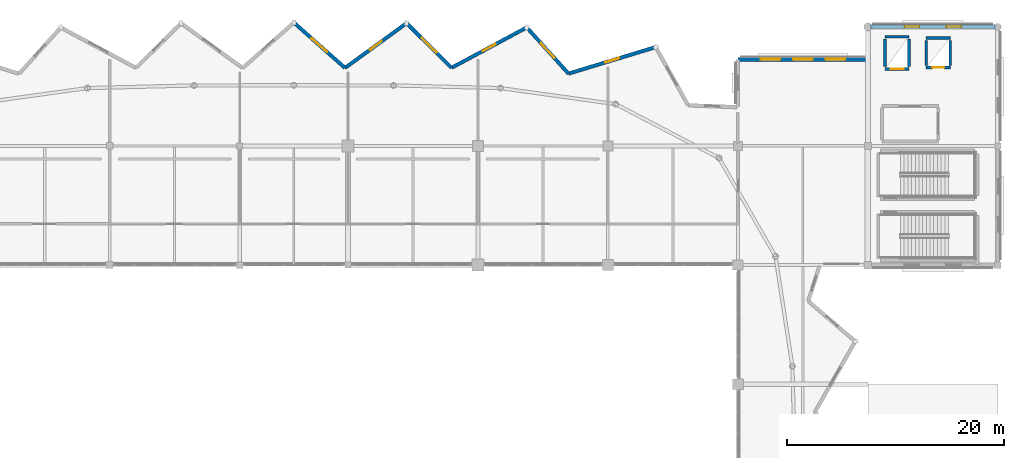
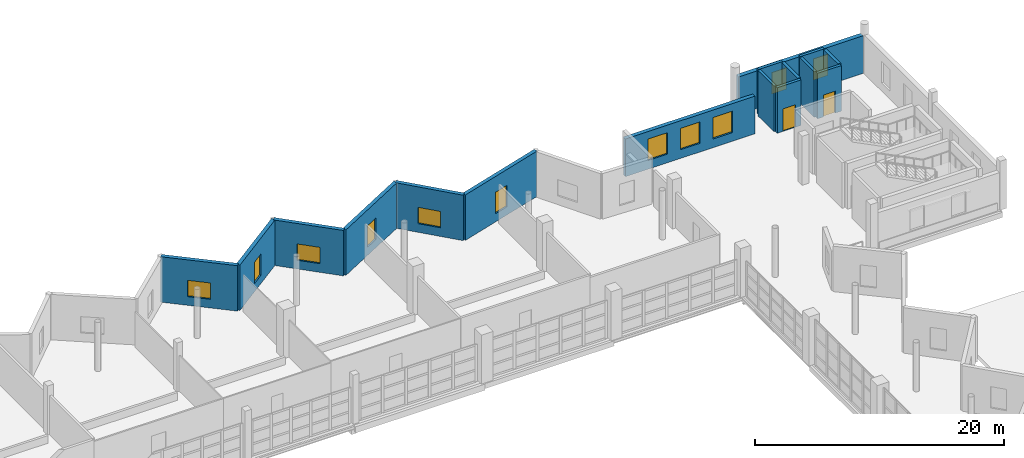
# One storey, part 43 of 53: 16 walls, 11 windows, 2 doors, 13 openings.
"""IFC4 building model written with IfcOpenShell, lengths in metres."""

from ifc_helpers import new_model, si_unit, direction, frame, frame_2d, origin, place, context, subcontext, project, spatial, rectangle, extrude, material, layer, layer_set, type_object, element, fill, save


model = new_model("IFC4")

# Units and contexts
model_context = context("Model", 3, precision=1e-05, world=origin(), true_north=direction((0.0, 1.0)))
body_context = subcontext(model_context, "Body", "Model", "MODEL_VIEW")
ifc_project = project(units=[si_unit("LENGTHUNIT", "METRE"), si_unit("AREAUNIT", "SQUARE_METRE"), si_unit("VOLUMEUNIT", "CUBIC_METRE"), si_unit("PLANEANGLEUNIT", "RADIAN"), si_unit("MASSUNIT", "GRAM", prefix="KILO")], contexts=[model_context])

# Site, building, storey
site_placement = place(None, origin())
site = spatial("IfcSite", under=ifc_project, at=site_placement, CompositionType="ELEMENT")
building_placement = place(site_placement, origin())
building = spatial("IfcBuilding", under=site, at=building_placement, Name="Luwafu Chhajja Arena", CompositionType="ELEMENT")
storey_placement = place(building_placement, frame((0.0, 0.0, 19.5)))
storey = spatial("IfcBuildingStorey", under=building, at=storey_placement, Name="L04", CompositionType="ELEMENT", Elevation=19.5)

# Wall, opening, door
ifc_material_1 = material(Name="Concrete C35/45", Category="concrete")
ifc_layer_1 = layer(ifc_material_1, 0.260009765625, Name="Concrete C35/45")
ifc_layer_set_1 = layer_set([ifc_layer_1], Name="Concrete C35/45")
wall_type_1 = type_object("IfcWallType", Name="Lift and Riser Shaft Wall 260", PredefinedType="SOLIDWALL", material=ifc_layer_set_1)
wall_1_placement = place(storey_placement, frame((153.590087890625, 95.114990234375, 0.0), z_axis=(0.0, 0.0, 1.0), x_axis=(1.0, 0.0, 0.0)))
wall_1 = element("IfcWall", 1, at=wall_1_placement, inside=storey, type_object=wall_type_1, Name="L04 Lift LF-04 Shaft Wall S", PredefinedType="SOLIDWALL", context=body_context, shape_type="SweptSolid", body=[
    extrude(rectangle(XDim=2.219970703125, YDim=0.260009765625, at=frame_2d((1.10986328125, 0.0))), origin(), (0.0, 0.0, 1.0), 4.4599609375),
])
opening_1_placement = place(wall_1_placement, frame((0.510009765625, 0.0, 0.0)))
opening_1 = element("IfcOpeningElement", 2, at=opening_1_placement, cuts=wall_1, Name="Opening LD-02", PredefinedType="OPENING", context=body_context, shape_type="SweptSolid", body=[
    extrude(rectangle(XDim=1.199951171875, YDim=2.199951171875, at=frame_2d((0.60009765625, 1.10009765625))), frame((0.0, 0.139892578125, 0.0), z_axis=(0.0, -1.0, 0.0), x_axis=(1.0, 0.0, 0.0)), (0.0, 0.0, 1.0), 0.280029296875),
])
ifc_material_2 = material(Name="Brushed stainless steel sliding leaves", Category="steel")
door_type_1 = type_object("IfcDoorType", Name="LD-02", OperationType="SLIDING_TO_LEFT", PredefinedType="DOOR", material=ifc_material_2)
door_1_placement = place(opening_1_placement, origin())
door_1 = element("IfcDoor", 3, at=door_1_placement, inside=storey, type_object=door_type_1, Name="L04 Lift LF-04 Landing Door L04-LD07", OperationType="SLIDING_TO_LEFT", OverallHeight=2.199951171875, OverallWidth=1.199951171875, PredefinedType="DOOR", context=body_context, shape_type="SweptSolid", body=[
    extrude(rectangle(XDim=1.199951171875, YDim=2.199951171875, at=frame_2d((0.60009765625, 1.10009765625))), frame((0.0, 0.02490234375, 0.0), z_axis=(0.0, -1.0, 0.0), x_axis=(1.0, 0.0, 0.0)), (0.0, 0.0, 1.0), 0.050048828125),
])
fill(opening_1, door_1)

# Walls
wall_2_placement = place(storey_placement, frame((153.590087890625, 98.0849609375, 0.0), z_axis=(0.0, 0.0, 1.0), x_axis=(1.0, 0.0, 0.0)))
element("IfcWall", 4, at=wall_2_placement, inside=storey, type_object=wall_type_1, Name="L04 Lift LF-04 Shaft Wall N", PredefinedType="SOLIDWALL", context=body_context, shape_type="SweptSolid", body=[
    extrude(rectangle(XDim=2.219970703125, YDim=0.260009765625, at=frame_2d((1.10986328125, 0.0))), origin(), (0.0, 0.0, 1.0), 4.4599609375),
])
for number, where, z_axis, x_axis, name in (
    (5, (153.590087890625, 95.31494140625, 0.0), (0.0, 0.0, 1.0), (0.0, 1.0, 0.0), "L04 Lift LF-04 Shaft Wall W"),
    (6, (155.81005859375, 95.31494140625, 0.0), (0.0, 0.0, 1.0), (0.0, 1.0, 0.0), "L04 Lift LF-04 Shaft Wall E"),
):
    element("IfcWall", number, at=place(storey_placement, frame(where, z_axis=z_axis, x_axis=x_axis)), inside=storey, type_object=wall_type_1, Name=name, PredefinedType="SOLIDWALL", context=body_context, shape_type="SweptSolid", body=[
        extrude(rectangle(XDim=2.570068359375, YDim=0.260009765625, at=frame_2d((1.28515625, 0.0))), origin(), (0.0, 0.0, 1.0), 4.4599609375),
    ])

# Wall, opening, door
wall_3_placement = place(storey_placement, frame((157.389892578125, 95.239990234375, 0.0), z_axis=(0.0, 0.0, 1.0), x_axis=(1.0, 0.0, 0.0)))
wall_3 = element("IfcWall", 7, at=wall_3_placement, inside=storey, type_object=wall_type_1, Name="L04 Lift LF-08 Shaft Wall S", PredefinedType="SOLIDWALL", context=body_context, shape_type="SweptSolid", body=[
    extrude(rectangle(XDim=2.22021484375, YDim=0.260009765625, at=frame_2d((1.110107421875, 0.0))), origin(), (0.0, 0.0, 1.0), 4.4599609375),
])
opening_2_placement = place(wall_3_placement, frame((0.56005859375, 0.0, 0.0)))
opening_2 = element("IfcOpeningElement", 8, at=opening_2_placement, cuts=wall_3, Name="Opening LD-01", PredefinedType="OPENING", context=body_context, shape_type="SweptSolid", body=[
    extrude(rectangle(XDim=1.10009765625, YDim=2.14990234375, at=frame_2d((0.550048828125, 1.074951171875))), frame((0.0, 0.139892578125, 0.0), z_axis=(0.0, -1.0, 0.0), x_axis=(1.0, 0.0, 0.0)), (0.0, 0.0, 1.0), 0.280029296875),
])
door_type_2 = type_object("IfcDoorType", Name="LD-01", OperationType="SLIDING_TO_LEFT", PredefinedType="DOOR", material=ifc_material_2)
door_2_placement = place(opening_2_placement, origin())
door_2 = element("IfcDoor", 9, at=door_2_placement, inside=storey, type_object=door_type_2, Name="L04 Lift LF-08 Landing Door L04-LD08", OperationType="SLIDING_TO_LEFT", OverallHeight=2.14990234375, OverallWidth=1.10009765625, PredefinedType="DOOR", context=body_context, shape_type="SweptSolid", body=[
    extrude(rectangle(XDim=1.10009765625, YDim=2.14990234375, at=frame_2d((0.550048828125, 1.074951171875))), frame((0.0, 0.02490234375, 0.0), z_axis=(0.0, -1.0, 0.0), x_axis=(1.0, 0.0, 0.0)), (0.0, 0.0, 1.0), 0.050048828125),
])
fill(opening_2, door_2)

# Walls
wall_4_placement = place(storey_placement, frame((157.389892578125, 97.9599609375, 0.0), z_axis=(0.0, 0.0, 1.0), x_axis=(1.0, 0.0, 0.0)))
element("IfcWall", 10, at=wall_4_placement, inside=storey, type_object=wall_type_1, Name="L04 Lift LF-08 Shaft Wall N", PredefinedType="SOLIDWALL", context=body_context, shape_type="SweptSolid", body=[
    extrude(rectangle(XDim=2.22021484375, YDim=0.260009765625, at=frame_2d((1.110107421875, 0.0))), origin(), (0.0, 0.0, 1.0), 4.4599609375),
])
for number, where, z_axis, x_axis, name in (
    (11, (157.389892578125, 95.43994140625, 0.0), (0.0, 0.0, 1.0), (0.0, 1.0, 0.0), "L04 Lift LF-08 Shaft Wall W"),
    (12, (159.610107421875, 95.43994140625, 0.0), (0.0, 0.0, 1.0), (0.0, 1.0, 0.0), "L04 Lift LF-08 Shaft Wall E"),
):
    element("IfcWall", number, at=place(storey_placement, frame(where, z_axis=z_axis, x_axis=x_axis)), inside=storey, type_object=wall_type_1, Name=name, PredefinedType="SOLIDWALL", context=body_context, shape_type="SweptSolid", body=[
        extrude(rectangle(XDim=2.320068359375, YDim=0.260009765625, at=frame_2d((1.16015625, 0.0))), origin(), (0.0, 0.0, 1.0), 4.4599609375),
    ])

# Wall, opening, window
ifc_material_3 = material(Name="Precast concrete C40/50", Category="concrete")
ifc_layer_2 = layer(ifc_material_3, 0.340087890625, Name="Precast concrete C40/50")
ifc_layer_set_2 = layer_set([ifc_layer_2], Name="Precast concrete C40/50")
wall_type_2 = type_object("IfcWallType", Name="Pleated Bowl V-Fold Wall 340", PredefinedType="USERDEFINED", material=ifc_layer_set_2)
wall_5_placement = place(storey_placement, frame((132.427490234375, 97.135986328125, 0.0), z_axis=(0.0, 0.0, 1.0), x_axis=(-0.956738407321, -0.290949514446, 0.0)))
wall_5 = element("IfcWall", 13, at=wall_5_placement, inside=storey, type_object=wall_type_2, Name="L04 Pleated Bowl V-Fold Wall 11", ObjectType="PLEATED FACADE WALL", PredefinedType="USERDEFINED", context=body_context, shape_type="SweptSolid", body=[
    extrude(rectangle(XDim=8.427978515625, YDim=0.340087890625, at=frame_2d((4.2138671875, 0.0))), origin(), (0.0, 0.0, 1.0), 4.455078125),
])
opening_3_placement = place(wall_5_placement, frame((3.5390625, 0.0, 0.800048828125)))
opening_3 = element("IfcOpeningElement", 14, at=opening_3_placement, cuts=wall_5, Name="Opening WN-17", PredefinedType="OPENING", context=body_context, shape_type="SweptSolid", body=[
    extrude(rectangle(XDim=1.35009765625, YDim=2.10009765625, at=frame_2d((0.675048828125, 1.050048828125))), frame((0.0, 0.179931640625, 0.0), z_axis=(0.0, -1.0, 0.0), x_axis=(1.0, 0.0, 0.0)), (0.0, 0.0, 1.0), 0.360107421875),
])
ifc_material_4 = material(Name="Solar-control laminated glass", Category="glass")
window_type_1 = type_object("IfcWindowType", Name="Exhibition Mezzanine Lancet Window 1350x2100", PartitioningType="SINGLE_PANEL", PredefinedType="WINDOW", material=ifc_material_4)
window_1_placement = place(opening_3_placement, origin())
window_1 = element("IfcWindow", 15, at=window_1_placement, inside=storey, type_object=window_type_1, Name="L04 Pleated Bowl Lancet Window 086", OverallHeight=2.10009765625, OverallWidth=1.35009765625, PartitioningType="SINGLE_PANEL", PredefinedType="WINDOW", context=body_context, shape_type="SweptSolid", body=[
    extrude(rectangle(XDim=1.35009765625, YDim=2.10009765625, at=frame_2d((0.675048828125, 1.050048828125))), frame((0.0, 0.030029296875, 0.0), z_axis=(0.0, -1.0, 0.0), x_axis=(1.0, 0.0, 0.0)), (0.0, 0.0, 1.0), 0.06005859375),
])
fill(opening_3, window_1)

wall_6_placement = place(storey_placement, frame((124.364013671875, 94.683837890625, 0.0), z_axis=(0.0, 0.0, 1.0), x_axis=(-0.670348131104, 0.742046752654, 0.0)))
wall_6 = element("IfcWall", 16, at=wall_6_placement, inside=storey, type_object=wall_type_2, Name="L04 Pleated Bowl V-Fold Wall 12", ObjectType="PLEATED FACADE WALL", PredefinedType="USERDEFINED", context=body_context, shape_type="SweptSolid", body=[
    extrude(rectangle(XDim=5.747802734375, YDim=0.340087890625, at=frame_2d((2.8740234375, 0.0))), origin(), (0.0, 0.0, 1.0), 4.455078125),
])
opening_4_placement = place(wall_6_placement, frame((1.923828125, 0.0, 0.85009765625)))
opening_4 = element("IfcOpeningElement", 17, at=opening_4_placement, cuts=wall_6, Name="Opening WN-15", PredefinedType="OPENING", context=body_context, shape_type="SweptSolid", body=[
    extrude(rectangle(XDim=1.89990234375, YDim=1.60009765625, at=frame_2d((0.949951171875, 0.800048828125))), frame((0.0, 0.179931640625, 0.0), z_axis=(0.0, -1.0, 0.0), x_axis=(1.0, 0.0, 0.0)), (0.0, 0.0, 1.0), 0.360107421875),
])
window_type_2 = type_object("IfcWindowType", Name="Pleated Drum Inward-Fold Clerestory 1900x1600", PartitioningType="SINGLE_PANEL", PredefinedType="WINDOW", material=ifc_material_4)
window_2_placement = place(opening_4_placement, origin())
window_2 = element("IfcWindow", 18, at=window_2_placement, inside=storey, type_object=window_type_2, Name="L04 Pleated Bowl Lancet Window 087", OverallHeight=1.60009765625, OverallWidth=1.89990234375, PartitioningType="SINGLE_PANEL", PredefinedType="WINDOW", context=body_context, shape_type="SweptSolid", body=[
    extrude(rectangle(XDim=1.89990234375, YDim=1.60009765625, at=frame_2d((0.949951171875, 0.800048828125))), frame((0.0, 0.030029296875, 0.0), z_axis=(0.0, -1.0, 0.0), x_axis=(1.0, 0.0, 0.0)), (0.0, 0.0, 1.0), 0.06005859375),
])
fill(opening_4, window_2)

wall_7_placement = place(storey_placement, frame((120.510986328125, 98.948974609375, 0.0), z_axis=(0.0, 0.0, 1.0), x_axis=(-0.881201188687, -0.472741435731, 0.0)))
wall_7 = element("IfcWall", 19, at=wall_7_placement, inside=storey, type_object=wall_type_2, Name="L04 Pleated Bowl V-Fold Wall 13", ObjectType="PLEATED FACADE WALL", PredefinedType="USERDEFINED", context=body_context, shape_type="SweptSolid", body=[
    extrude(rectangle(XDim=7.880859375, YDim=0.340087890625, at=frame_2d((3.9404296875, 0.0))), origin(), (0.0, 0.0, 1.0), 4.455078125),
])
opening_5_placement = place(wall_7_placement, frame((3.265380859375, 0.0, 0.800048828125)))
opening_5 = element("IfcOpeningElement", 20, at=opening_5_placement, cuts=wall_7, Name="Opening WN-17", PredefinedType="OPENING", context=body_context, shape_type="SweptSolid", body=[
    extrude(rectangle(XDim=1.35009765625, YDim=2.10009765625, at=frame_2d((0.675048828125, 1.050048828125))), frame((0.0, 0.179931640625, 0.0), z_axis=(0.0, -1.0, 0.0), x_axis=(1.0, 0.0, 0.0)), (0.0, 0.0, 1.0), 0.360107421875),
])
window_3_placement = place(opening_5_placement, origin())
window_3 = element("IfcWindow", 21, at=window_3_placement, inside=storey, type_object=window_type_1, Name="L04 Pleated Bowl Lancet Window 088", OverallHeight=2.10009765625, OverallWidth=1.35009765625, PartitioningType="SINGLE_PANEL", PredefinedType="WINDOW", context=body_context, shape_type="SweptSolid", body=[
    extrude(rectangle(XDim=1.35009765625, YDim=2.10009765625, at=frame_2d((0.675048828125, 1.050048828125))), frame((0.0, 0.030029296875, 0.0), z_axis=(0.0, -1.0, 0.0), x_axis=(1.0, 0.0, 0.0)), (0.0, 0.0, 1.0), 0.06005859375),
])
fill(opening_5, window_3)

wall_8_placement = place(storey_placement, frame((113.56640625, 95.223388671875, 0.0), z_axis=(0.0, 0.0, 1.0), x_axis=(-0.710084208502, 0.704116763638, 0.0)))
wall_8 = element("IfcWall", 22, at=wall_8_placement, inside=storey, type_object=wall_type_2, Name="L04 Pleated Bowl V-Fold Wall 14", ObjectType="PLEATED FACADE WALL", PredefinedType="USERDEFINED", context=body_context, shape_type="SweptSolid", body=[
    extrude(rectangle(XDim=5.850341796875, YDim=0.340087890625, at=frame_2d((2.92529296875, 0.0))), origin(), (0.0, 0.0, 1.0), 4.455078125),
])
opening_6_placement = place(wall_8_placement, frame((1.97509765625, 0.0, 0.85009765625)))
opening_6 = element("IfcOpeningElement", 23, at=opening_6_placement, cuts=wall_8, Name="Opening WN-15", PredefinedType="OPENING", context=body_context, shape_type="SweptSolid", body=[
    extrude(rectangle(XDim=1.89990234375, YDim=1.60009765625, at=frame_2d((0.949951171875, 0.800048828125))), frame((0.0, 0.179931640625, 0.0), z_axis=(0.0, -1.0, 0.0), x_axis=(1.0, 0.0, 0.0)), (0.0, 0.0, 1.0), 0.360107421875),
])
window_4_placement = place(opening_6_placement, origin())
window_4 = element("IfcWindow", 24, at=window_4_placement, inside=storey, type_object=window_type_2, Name="L04 Pleated Bowl Lancet Window 089", OverallHeight=1.60009765625, OverallWidth=1.89990234375, PartitioningType="SINGLE_PANEL", PredefinedType="WINDOW", context=body_context, shape_type="SweptSolid", body=[
    extrude(rectangle(XDim=1.89990234375, YDim=1.60009765625, at=frame_2d((0.949951171875, 0.800048828125))), frame((0.0, 0.030029296875, 0.0), z_axis=(0.0, -1.0, 0.0), x_axis=(1.0, 0.0, 0.0)), (0.0, 0.0, 1.0), 0.06005859375),
])
fill(opening_6, window_4)

wall_9_placement = place(storey_placement, frame((109.412109375, 99.3427734375, 0.0), z_axis=(0.0, 0.0, 1.0), x_axis=(-0.808841233488, -0.588027090371, 0.0)))
wall_9 = element("IfcWall", 25, at=wall_9_placement, inside=storey, type_object=wall_type_2, Name="L04 Pleated Bowl V-Fold Wall 15", ObjectType="PLEATED FACADE WALL", PredefinedType="USERDEFINED", context=body_context, shape_type="SweptSolid", body=[
    extrude(rectangle(XDim=7.02734375, YDim=0.340087890625, at=frame_2d((3.513671875, 0.0))), origin(), (0.0, 0.0, 1.0), 4.455078125),
])
opening_7_placement = place(wall_9_placement, frame((2.838623046875, 0.0, 0.800048828125)))
opening_7 = element("IfcOpeningElement", 26, at=opening_7_placement, cuts=wall_9, Name="Opening WN-17", PredefinedType="OPENING", context=body_context, shape_type="SweptSolid", body=[
    extrude(rectangle(XDim=1.35009765625, YDim=2.10009765625, at=frame_2d((0.675048828125, 1.050048828125))), frame((0.0, 0.179931640625, 0.0), z_axis=(0.0, -1.0, 0.0), x_axis=(1.0, 0.0, 0.0)), (0.0, 0.0, 1.0), 0.360107421875),
])
window_5_placement = place(opening_7_placement, origin())
window_5 = element("IfcWindow", 27, at=window_5_placement, inside=storey, type_object=window_type_1, Name="L04 Pleated Bowl Lancet Window 090", OverallHeight=2.10009765625, OverallWidth=1.35009765625, PartitioningType="SINGLE_PANEL", PredefinedType="WINDOW", context=body_context, shape_type="SweptSolid", body=[
    extrude(rectangle(XDim=1.35009765625, YDim=2.10009765625, at=frame_2d((0.675048828125, 1.050048828125))), frame((0.0, 0.030029296875, 0.0), z_axis=(0.0, -1.0, 0.0), x_axis=(1.0, 0.0, 0.0)), (0.0, 0.0, 1.0), 0.06005859375),
])
fill(opening_7, window_5)

wall_10_placement = place(storey_placement, frame((103.72802734375, 95.21044921875, 0.0), z_axis=(0.0, 0.0, 1.0), x_axis=(-0.74844895461, 0.663192402205, 0.0)))
wall_10 = element("IfcWall", 28, at=wall_10_placement, inside=storey, type_object=wall_type_2, Name="L04 Pleated Bowl V-Fold Wall 16", ObjectType="PLEATED FACADE WALL", PredefinedType="USERDEFINED", context=body_context, shape_type="SweptSolid", body=[
    extrude(rectangle(XDim=6.317138671875, YDim=0.340087890625, at=frame_2d((3.15869140625, 0.0))), origin(), (0.0, 0.0, 1.0), 4.455078125),
])
opening_8_placement = place(wall_10_placement, frame((2.20849609375, 0.0, 0.85009765625)))
opening_8 = element("IfcOpeningElement", 29, at=opening_8_placement, cuts=wall_10, Name="Opening WN-15", PredefinedType="OPENING", context=body_context, shape_type="SweptSolid", body=[
    extrude(rectangle(XDim=1.89990234375, YDim=1.60009765625, at=frame_2d((0.949951171875, 0.800048828125))), frame((0.0, 0.179931640625, 0.0), z_axis=(0.0, -1.0, 0.0), x_axis=(1.0, 0.0, 0.0)), (0.0, 0.0, 1.0), 0.360107421875),
])
window_6_placement = place(opening_8_placement, origin())
window_6 = element("IfcWindow", 30, at=window_6_placement, inside=storey, type_object=window_type_2, Name="L04 Pleated Bowl Lancet Window 091", OverallHeight=1.60009765625, OverallWidth=1.89990234375, PartitioningType="SINGLE_PANEL", PredefinedType="WINDOW", context=body_context, shape_type="SweptSolid", body=[
    extrude(rectangle(XDim=1.89990234375, YDim=1.60009765625, at=frame_2d((0.949951171875, 0.800048828125))), frame((0.0, 0.030029296875, 0.0), z_axis=(0.0, -1.0, 0.0), x_axis=(1.0, 0.0, 0.0)), (0.0, 0.0, 1.0), 0.06005859375),
])
fill(opening_8, window_6)

# Wall, openings, windows
ifc_material_5 = material(Name="Concrete C40/50", Category="concrete")
ifc_layer_3 = layer(ifc_material_5, 0.39990234375, Name="Concrete C40/50")
ifc_layer_set_3 = layer_set([ifc_layer_3], Name="Concrete C40/50")
wall_type_3 = type_object("IfcWallType", Name="RC Core Shear Wall 400", PredefinedType="SOLIDWALL", material=ifc_layer_set_3)
wall_11_placement = place(storey_placement, frame((152.219970703125, 99.0, 0.0), z_axis=(0.0, 0.0, 1.0), x_axis=(1.0, 0.0, 0.0)))
wall_11 = element("IfcWall", 31, at=wall_11_placement, inside=storey, type_object=wall_type_3, Name="L04 Exterior Wall WEX-L04-230", PredefinedType="SOLIDWALL", context=body_context, shape_type="SweptSolid", body=[
    extrude(rectangle(XDim=11.56005859375, YDim=0.39990234375, at=frame_2d((5.780029296875, 0.0))), origin(), (0.0, 0.0, 1.0), 3.68994140625),
])
opening_9_placement = place(wall_11_placement, frame((3.17822265625, 0.0, 0.800048828125)))
opening_9 = element("IfcOpeningElement", 32, at=opening_9_placement, cuts=wall_11, Name="Opening WN-17", PredefinedType="OPENING", context=body_context, shape_type="SweptSolid", body=[
    extrude(rectangle(XDim=1.35009765625, YDim=2.10009765625, at=frame_2d((0.675048828125, 1.050048828125))), frame((0.0, 0.2099609375, 0.0), z_axis=(0.0, -1.0, 0.0), x_axis=(1.0, 0.0, 0.0)), (0.0, 0.0, 1.0), 0.419921875),
])
opening_10_placement = place(wall_11_placement, frame((7.03173828125, 0.0, 0.800048828125)))
opening_10 = element("IfcOpeningElement", 33, at=opening_10_placement, cuts=wall_11, Name="Opening WN-17", PredefinedType="OPENING", context=body_context, shape_type="SweptSolid", body=[
    extrude(rectangle(XDim=1.35009765625, YDim=2.10009765625, at=frame_2d((0.675048828125, 1.050048828125))), frame((0.0, 0.2099609375, 0.0), z_axis=(0.0, -1.0, 0.0), x_axis=(1.0, 0.0, 0.0)), (0.0, 0.0, 1.0), 0.419921875),
])
window_7_placement = place(opening_9_placement, origin())
window_7 = element("IfcWindow", 34, at=window_7_placement, inside=storey, type_object=window_type_1, Name="L04 Facade Window 206", OverallHeight=2.10009765625, OverallWidth=1.35009765625, PartitioningType="SINGLE_PANEL", PredefinedType="WINDOW", context=body_context, shape_type="SweptSolid", body=[
    extrude(rectangle(XDim=1.35009765625, YDim=2.10009765625, at=frame_2d((0.675048828125, 1.050048828125))), frame((0.0, 0.030029296875, 0.0), z_axis=(0.0, -1.0, 0.0), x_axis=(1.0, 0.0, 0.0)), (0.0, 0.0, 1.0), 0.06005859375),
])
fill(opening_9, window_7)
window_8_placement = place(opening_10_placement, origin())
window_8 = element("IfcWindow", 35, at=window_8_placement, inside=storey, type_object=window_type_1, Name="L04 Facade Window 207", OverallHeight=2.10009765625, OverallWidth=1.35009765625, PartitioningType="SINGLE_PANEL", PredefinedType="WINDOW", context=body_context, shape_type="SweptSolid", body=[
    extrude(rectangle(XDim=1.35009765625, YDim=2.10009765625, at=frame_2d((0.675048828125, 1.050048828125))), frame((0.0, 0.030029296875, 0.0), z_axis=(0.0, -1.0, 0.0), x_axis=(1.0, 0.0, 0.0)), (0.0, 0.0, 1.0), 0.06005859375),
])
fill(opening_10, window_8)

ifc_layer_4 = layer(ifc_material_1, 0.360107421875, Name="Concrete C35/45")
ifc_layer_set_4 = layer_set([ifc_layer_4], Name="Concrete C35/45")
wall_type_4 = type_object("IfcWallType", Name="Sandstone Backed Exterior Wall 360", PredefinedType="SOLIDWALL", material=ifc_layer_set_4)
wall_12_placement = place(storey_placement, frame((140.0, 96.0, 0.0), z_axis=(0.0, 0.0, 1.0), x_axis=(1.0, 0.0, 0.0)))
wall_12 = element("IfcWall", 36, at=wall_12_placement, inside=storey, type_object=wall_type_4, Name="L04 Exterior Wall WEX-L04-222", PredefinedType="SOLIDWALL", context=body_context, shape_type="SweptSolid", body=[
    extrude(rectangle(XDim=12.0, YDim=0.360107421875, at=frame_2d((6.0, 0.0))), origin(), (0.0, 0.0, 1.0), 3.68994140625),
])
opening_11_placement = place(wall_12_placement, frame((2.10009765625, 0.0, 0.85009765625)))
opening_11 = element("IfcOpeningElement", 37, at=opening_11_placement, cuts=wall_12, Name="Opening WN-01", PredefinedType="OPENING", context=body_context, shape_type="SweptSolid", body=[
    extrude(rectangle(XDim=1.800048828125, YDim=2.10009765625, at=frame_2d((0.89990234375, 1.050048828125))), frame((0.0, 0.18994140625, 0.0), z_axis=(0.0, -1.0, 0.0), x_axis=(1.0, 0.0, 0.0)), (0.0, 0.0, 1.0), 0.380126953125),
])
opening_12_placement = place(wall_12_placement, frame((5.10009765625, 0.0, 0.85009765625)))
opening_12 = element("IfcOpeningElement", 38, at=opening_12_placement, cuts=wall_12, Name="Opening WN-01", PredefinedType="OPENING", context=body_context, shape_type="SweptSolid", body=[
    extrude(rectangle(XDim=1.800048828125, YDim=2.10009765625, at=frame_2d((0.89990234375, 1.050048828125))), frame((0.0, 0.18994140625, 0.0), z_axis=(0.0, -1.0, 0.0), x_axis=(1.0, 0.0, 0.0)), (0.0, 0.0, 1.0), 0.380126953125),
])
opening_13_placement = place(wall_12_placement, frame((8.10009765625, 0.0, 0.85009765625)))
opening_13 = element("IfcOpeningElement", 39, at=opening_13_placement, cuts=wall_12, Name="Opening WN-01", PredefinedType="OPENING", context=body_context, shape_type="SweptSolid", body=[
    extrude(rectangle(XDim=1.800048828125, YDim=2.10009765625, at=frame_2d((0.89990234375, 1.050048828125))), frame((0.0, 0.18994140625, 0.0), z_axis=(0.0, -1.0, 0.0), x_axis=(1.0, 0.0, 0.0)), (0.0, 0.0, 1.0), 0.380126953125),
])
window_type_3 = type_object("IfcWindowType", Name="Mughal Deep-Reveal Punched Window 1800x2100", PartitioningType="SINGLE_PANEL", PredefinedType="WINDOW", material=ifc_material_4)
window_9_placement = place(opening_11_placement, origin())
window_9 = element("IfcWindow", 40, at=window_9_placement, inside=storey, type_object=window_type_3, Name="L04 Facade Window 190", OverallHeight=2.10009765625, OverallWidth=1.800048828125, PartitioningType="SINGLE_PANEL", PredefinedType="WINDOW", context=body_context, shape_type="SweptSolid", body=[
    extrude(rectangle(XDim=1.800048828125, YDim=2.10009765625, at=frame_2d((0.89990234375, 1.050048828125))), frame((0.0, 0.030029296875, 0.0), z_axis=(0.0, -1.0, 0.0), x_axis=(1.0, 0.0, 0.0)), (0.0, 0.0, 1.0), 0.06005859375),
])
fill(opening_11, window_9)
window_10_placement = place(opening_12_placement, origin())
window_10 = element("IfcWindow", 41, at=window_10_placement, inside=storey, type_object=window_type_3, Name="L04 Facade Window 191", OverallHeight=2.10009765625, OverallWidth=1.800048828125, PartitioningType="SINGLE_PANEL", PredefinedType="WINDOW", context=body_context, shape_type="SweptSolid", body=[
    extrude(rectangle(XDim=1.800048828125, YDim=2.10009765625, at=frame_2d((0.89990234375, 1.050048828125))), frame((0.0, 0.030029296875, 0.0), z_axis=(0.0, -1.0, 0.0), x_axis=(1.0, 0.0, 0.0)), (0.0, 0.0, 1.0), 0.06005859375),
])
fill(opening_12, window_10)
window_11_placement = place(opening_13_placement, origin())
window_11 = element("IfcWindow", 42, at=window_11_placement, inside=storey, type_object=window_type_3, Name="L04 Facade Window 192", OverallHeight=2.10009765625, OverallWidth=1.800048828125, PartitioningType="SINGLE_PANEL", PredefinedType="WINDOW", context=body_context, shape_type="SweptSolid", body=[
    extrude(rectangle(XDim=1.800048828125, YDim=2.10009765625, at=frame_2d((0.89990234375, 1.050048828125))), frame((0.0, 0.030029296875, 0.0), z_axis=(0.0, -1.0, 0.0), x_axis=(1.0, 0.0, 0.0)), (0.0, 0.0, 1.0), 0.06005859375),
])
fill(opening_13, window_11)

save(model, "model.ifc")
